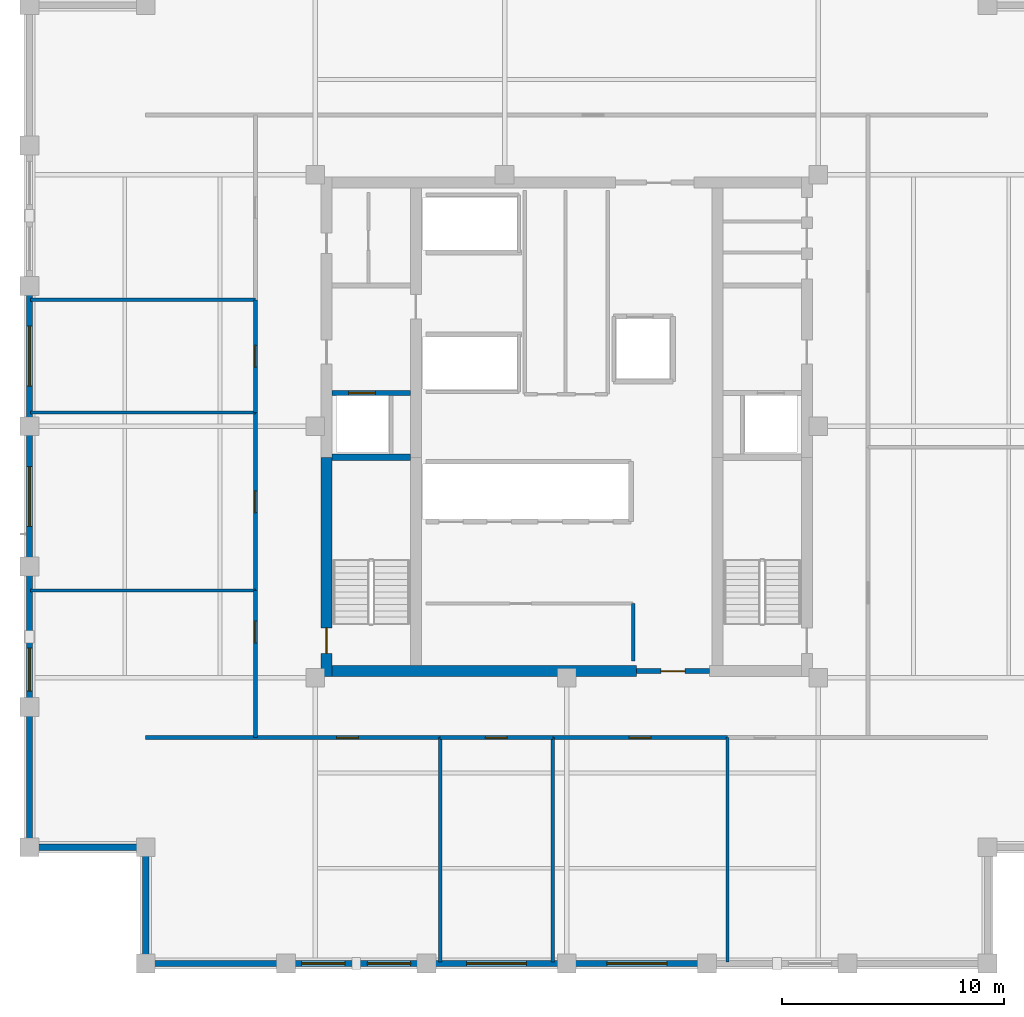
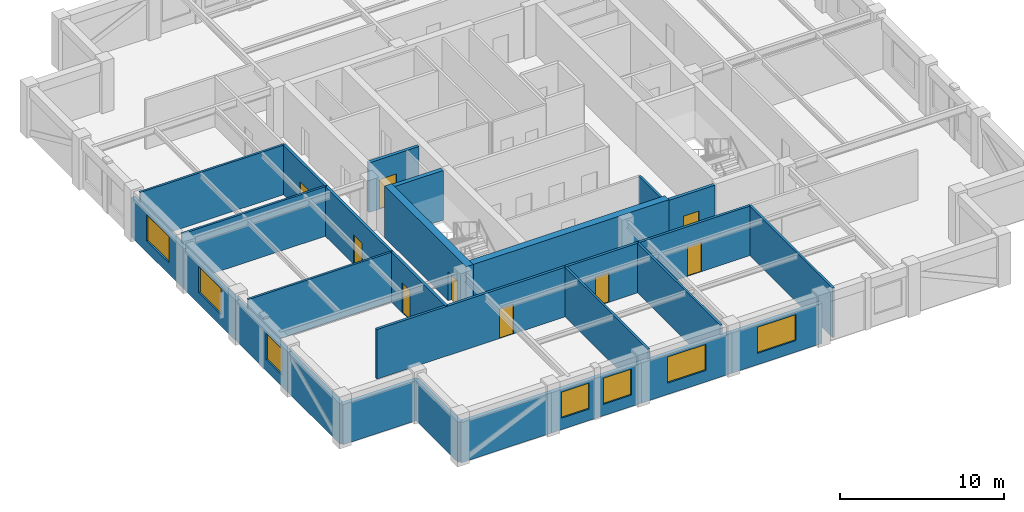
# One storey, part 5 of 9: 28 walls, 9 doors, 7 windows, 16 openings.
"""IFC4 building model written with IfcOpenShell, lengths in metres."""

from ifc_helpers import new_model, si_unit, direction, frame, frame_2d, origin, place, context, subcontext, project, spatial, rectangle, extrude, material, layer, layer_set, type_object, element, fill, save


model = new_model("IFC4")

# Units and contexts
model_context = context("Model", 3, precision=1e-05, world=origin(), true_north=direction((0.0, 1.0)))
body_context = subcontext(model_context, "Body", "Model", "MODEL_VIEW")
ifc_project = project(units=[si_unit("LENGTHUNIT", "METRE"), si_unit("AREAUNIT", "SQUARE_METRE"), si_unit("VOLUMEUNIT", "CUBIC_METRE"), si_unit("PLANEANGLEUNIT", "RADIAN"), si_unit("MASSUNIT", "GRAM", prefix="KILO")], contexts=[model_context])

# Site, building, storey
site_placement = place(None, origin())
site = spatial("IfcSite", under=ifc_project, at=site_placement, CompositionType="ELEMENT")
building_placement = place(site_placement, origin())
building = spatial("IfcBuilding", under=site, at=building_placement, Name="Nhamokura Convention Tower", CompositionType="ELEMENT")
storey_placement = place(building_placement, frame((0.0, 0.0, 229.25)))
storey = spatial("IfcBuildingStorey", under=building, at=storey_placement, Name="L56", CompositionType="ELEMENT", Elevation=229.25)

# Wall
ifc_material_1 = material(Name="Bronze-pigmented precast concrete C45/55", Category="concrete")
ifc_layer_1 = layer(ifc_material_1, 0.280029296875)
ifc_layer_set_1 = layer_set([ifc_layer_1], Name="BronzePrecastSpandrel_280")
wall_type_1 = type_object("IfcWallType", Name="BronzePrecastSpandrel_280", PredefinedType="USERDEFINED", material=ifc_layer_set_1)
wall_1_placement = place(storey_placement, frame((19.333251953125, 7.75, 0.0), z_axis=(0.0, 0.0, 1.0), x_axis=(-1.0, 0.0, 0.0)))
element("IfcWall", 1, at=wall_1_placement, inside=storey, type_object=wall_type_1, Name="L56 Braced-Bay Precast Wall SOUTH 0", ObjectType="SPANDREL_WALL", PredefinedType="USERDEFINED", context=body_context, shape_type="SweptSolid", body=[
    extrude(rectangle(XDim=6.333251953125, YDim=0.280029296875, at=frame_2d((3.16650390625, 0.0))), origin(), (0.0, 0.0, 1.0), 2.985107421875),
])

# Wall, openings, windows
wall_2_placement = place(storey_placement, frame((25.666748046875, 7.75, 0.0), z_axis=(0.0, 0.0, 1.0), x_axis=(-1.0, 0.0, 0.0)))
wall_2 = element("IfcWall", 2, at=wall_2_placement, inside=storey, type_object=wall_type_1, Name="L56 Masonry-Frame Wall SOUTH 1", ObjectType="SPANDREL_WALL", PredefinedType="USERDEFINED", context=body_context, shape_type="SweptSolid", body=[
    extrude(rectangle(XDim=6.33349609375, YDim=0.280029296875, at=frame_2d((3.166748046875, 0.0))), origin(), (0.0, 0.0, 1.0), 2.985107421875),
])
opening_1_placement = place(wall_2_placement, frame((0.708251953125, 0.0, 0.85009765625)))
opening_1 = element("IfcOpeningElement", 3, at=opening_1_placement, cuts=wall_2, Name="Opening W-08", PredefinedType="OPENING", context=body_context, shape_type="SweptSolid", body=[
    extrude(rectangle(XDim=1.949951171875, YDim=1.93505859375, at=frame_2d((0.97509765625, 0.967529296875))), frame((0.0, 0.14990234375, 0.0), z_axis=(0.0, -1.0, 0.0), x_axis=(1.0, 0.0, 0.0)), (0.0, 0.0, 1.0), 0.300048828125),
])
opening_2_placement = place(wall_2_placement, frame((3.675048828125, 0.0, 0.85009765625)))
opening_2 = element("IfcOpeningElement", 4, at=opening_2_placement, cuts=wall_2, Name="Opening W-08", PredefinedType="OPENING", context=body_context, shape_type="SweptSolid", body=[
    extrude(rectangle(XDim=1.949951171875, YDim=1.93505859375, at=frame_2d((0.97509765625, 0.967529296875))), frame((0.0, 0.14990234375, 0.0), z_axis=(0.0, -1.0, 0.0), x_axis=(1.0, 0.0, 0.0)), (0.0, 0.0, 1.0), 0.300048828125),
])
ifc_material_2 = material(Name="Solar-control bronze low-E double glass", Category="glass")
window_type_1 = type_object("IfcWindowType", Name="OfficeModuleWindow_Z3_1950", PartitioningType="SINGLE_PANEL", PredefinedType="WINDOW", material=ifc_material_2)
window_1_placement = place(opening_1_placement, origin())
window_1 = element("IfcWindow", 5, at=window_1_placement, inside=storey, type_object=window_type_1, Name="L56 Facade Window SOUTH 1-1", OverallHeight=1.93505859375, OverallWidth=1.949951171875, PartitioningType="SINGLE_PANEL", PredefinedType="WINDOW", context=body_context, shape_type="SweptSolid", body=[
    extrude(rectangle(XDim=1.949951171875, YDim=1.93505859375, at=frame_2d((0.97509765625, 0.967529296875))), frame((0.0, 0.030029296875, 0.0), z_axis=(0.0, -1.0, 0.0), x_axis=(1.0, 0.0, 0.0)), (0.0, 0.0, 1.0), 0.06005859375),
])
fill(opening_1, window_1)
window_2_placement = place(opening_2_placement, origin())
window_2 = element("IfcWindow", 6, at=window_2_placement, inside=storey, type_object=window_type_1, Name="L56 Facade Window SOUTH 1-2", OverallHeight=1.93505859375, OverallWidth=1.949951171875, PartitioningType="SINGLE_PANEL", PredefinedType="WINDOW", context=body_context, shape_type="SweptSolid", body=[
    extrude(rectangle(XDim=1.949951171875, YDim=1.93505859375, at=frame_2d((0.97509765625, 0.967529296875))), frame((0.0, 0.030029296875, 0.0), z_axis=(0.0, -1.0, 0.0), x_axis=(1.0, 0.0, 0.0)), (0.0, 0.0, 1.0), 0.06005859375),
])
fill(opening_2, window_2)

# Wall, opening, window
wall_3_placement = place(storey_placement, frame((32.0, 7.75, 0.0), z_axis=(0.0, 0.0, 1.0), x_axis=(-1.0, 0.0, 0.0)))
wall_3 = element("IfcWall", 7, at=wall_3_placement, inside=storey, type_object=wall_type_1, Name="L56 Masonry-Frame Wall SOUTH 2", ObjectType="SPANDREL_WALL", PredefinedType="USERDEFINED", context=body_context, shape_type="SweptSolid", body=[
    extrude(rectangle(XDim=6.333251953125, YDim=0.280029296875, at=frame_2d((3.16650390625, 0.0))), origin(), (0.0, 0.0, 1.0), 2.985107421875),
])
opening_3_placement = place(wall_3_placement, frame((1.816650390625, 0.0, 0.85009765625)))
opening_3 = element("IfcOpeningElement", 8, at=opening_3_placement, cuts=wall_3, Name="Opening W-07", PredefinedType="OPENING", context=body_context, shape_type="SweptSolid", body=[
    extrude(rectangle(XDim=2.699951171875, YDim=1.93505859375, at=frame_2d((1.35009765625, 0.967529296875))), frame((0.0, 0.14990234375, 0.0), z_axis=(0.0, -1.0, 0.0), x_axis=(1.0, 0.0, 0.0)), (0.0, 0.0, 1.0), 0.300048828125),
])
ifc_material_3 = material(Name="Solar-control bronze low-E double glass", Category="glass")
window_type_2 = type_object("IfcWindowType", Name="OfficeModuleWindow_Z3_2700", PartitioningType="DOUBLE_PANEL_VERTICAL", PredefinedType="WINDOW", material=ifc_material_3)
window_3_placement = place(opening_3_placement, origin())
window_3 = element("IfcWindow", 9, at=window_3_placement, inside=storey, type_object=window_type_2, Name="L56 Facade Window SOUTH 2", OverallHeight=1.93505859375, OverallWidth=2.699951171875, PartitioningType="SINGLE_PANEL", PredefinedType="WINDOW", context=body_context, shape_type="SweptSolid", body=[
    extrude(rectangle(XDim=2.699951171875, YDim=1.93505859375, at=frame_2d((1.35009765625, 0.967529296875))), frame((0.0, 0.030029296875, 0.0), z_axis=(0.0, -1.0, 0.0), x_axis=(1.0, 0.0, 0.0)), (0.0, 0.0, 1.0), 0.06005859375),
])
fill(opening_3, window_3)

wall_4_placement = place(storey_placement, frame((38.333251953125, 7.75, 0.0), z_axis=(0.0, 0.0, 1.0), x_axis=(-1.0, 0.0, 0.0)))
wall_4 = element("IfcWall", 10, at=wall_4_placement, inside=storey, type_object=wall_type_1, Name="L56 Masonry-Frame Wall SOUTH 3", ObjectType="SPANDREL_WALL", PredefinedType="USERDEFINED", context=body_context, shape_type="SweptSolid", body=[
    extrude(rectangle(XDim=6.333251953125, YDim=0.280029296875, at=frame_2d((3.16650390625, 0.0))), origin(), (0.0, 0.0, 1.0), 2.985107421875),
])
opening_4_placement = place(wall_4_placement, frame((1.816650390625, 0.0, 0.85009765625)))
opening_4 = element("IfcOpeningElement", 11, at=opening_4_placement, cuts=wall_4, Name="Opening W-07", PredefinedType="OPENING", context=body_context, shape_type="SweptSolid", body=[
    extrude(rectangle(XDim=2.699951171875, YDim=1.93505859375, at=frame_2d((1.35009765625, 0.967529296875))), frame((0.0, 0.14990234375, 0.0), z_axis=(0.0, -1.0, 0.0), x_axis=(1.0, 0.0, 0.0)), (0.0, 0.0, 1.0), 0.300048828125),
])
window_4_placement = place(opening_4_placement, origin())
window_4 = element("IfcWindow", 12, at=window_4_placement, inside=storey, type_object=window_type_2, Name="L56 Facade Window SOUTH 3", OverallHeight=1.93505859375, OverallWidth=2.699951171875, PartitioningType="SINGLE_PANEL", PredefinedType="WINDOW", context=body_context, shape_type="SweptSolid", body=[
    extrude(rectangle(XDim=2.699951171875, YDim=1.93505859375, at=frame_2d((1.35009765625, 0.967529296875))), frame((0.0, 0.030029296875, 0.0), z_axis=(0.0, -1.0, 0.0), x_axis=(1.0, 0.0, 0.0)), (0.0, 0.0, 1.0), 0.06005859375),
])
fill(opening_4, window_4)

# Wall
wall_5_placement = place(storey_placement, frame((7.75, 13.0, 0.0), z_axis=(0.0, 0.0, 1.0), x_axis=(0.0, 1.0, 0.0)))
element("IfcWall", 13, at=wall_5_placement, inside=storey, type_object=wall_type_1, Name="L56 Braced-Bay Precast Wall WEST 0", ObjectType="SPANDREL_WALL", PredefinedType="USERDEFINED", context=body_context, shape_type="SweptSolid", body=[
    extrude(rectangle(XDim=6.333251953125, YDim=0.280029296875, at=frame_2d((3.16650390625, 0.0))), origin(), (0.0, 0.0, 1.0), 2.985107421875),
])

# Wall, opening, window
wall_6_placement = place(storey_placement, frame((7.75, 19.333251953125, 0.0), z_axis=(0.0, 0.0, 1.0), x_axis=(0.0, 1.0, 0.0)))
wall_6 = element("IfcWall", 14, at=wall_6_placement, inside=storey, type_object=wall_type_1, Name="L56 Masonry-Frame Wall WEST 1", ObjectType="SPANDREL_WALL", PredefinedType="USERDEFINED", context=body_context, shape_type="SweptSolid", body=[
    extrude(rectangle(XDim=6.33349609375, YDim=0.280029296875, at=frame_2d((3.166748046875, 0.0))), origin(), (0.0, 0.0, 1.0), 2.985107421875),
])
opening_5_placement = place(wall_6_placement, frame((0.708251953125, 0.0, 0.85009765625)))
opening_5 = element("IfcOpeningElement", 15, at=opening_5_placement, cuts=wall_6, Name="Opening W-08", PredefinedType="OPENING", context=body_context, shape_type="SweptSolid", body=[
    extrude(rectangle(XDim=1.949951171875, YDim=1.93505859375, at=frame_2d((0.97509765625, 0.967529296875))), frame((0.0, 0.14990234375, 0.0), z_axis=(0.0, -1.0, 0.0), x_axis=(1.0, 0.0, 0.0)), (0.0, 0.0, 1.0), 0.300048828125),
])
window_5_placement = place(opening_5_placement, origin())
window_5 = element("IfcWindow", 16, at=window_5_placement, inside=storey, type_object=window_type_1, Name="L56 Facade Window WEST 1-1", OverallHeight=1.93505859375, OverallWidth=1.949951171875, PartitioningType="SINGLE_PANEL", PredefinedType="WINDOW", context=body_context, shape_type="SweptSolid", body=[
    extrude(rectangle(XDim=1.949951171875, YDim=1.93505859375, at=frame_2d((0.97509765625, 0.967529296875))), frame((0.0, 0.030029296875, 0.0), z_axis=(0.0, -1.0, 0.0), x_axis=(1.0, 0.0, 0.0)), (0.0, 0.0, 1.0), 0.06005859375),
])
fill(opening_5, window_5)

wall_7_placement = place(storey_placement, frame((7.75, 25.666748046875, 0.0), z_axis=(0.0, 0.0, 1.0), x_axis=(0.0, 1.0, 0.0)))
wall_7 = element("IfcWall", 17, at=wall_7_placement, inside=storey, type_object=wall_type_1, Name="L56 Masonry-Frame Wall WEST 2", ObjectType="SPANDREL_WALL", PredefinedType="USERDEFINED", context=body_context, shape_type="SweptSolid", body=[
    extrude(rectangle(XDim=6.333251953125, YDim=0.280029296875, at=frame_2d((3.16650390625, 0.0))), origin(), (0.0, 0.0, 1.0), 2.985107421875),
])
opening_6_placement = place(wall_7_placement, frame((1.816650390625, 0.0, 0.85009765625)))
opening_6 = element("IfcOpeningElement", 18, at=opening_6_placement, cuts=wall_7, Name="Opening W-07", PredefinedType="OPENING", context=body_context, shape_type="SweptSolid", body=[
    extrude(rectangle(XDim=2.699951171875, YDim=1.93505859375, at=frame_2d((1.35009765625, 0.967529296875))), frame((0.0, 0.14990234375, 0.0), z_axis=(0.0, -1.0, 0.0), x_axis=(1.0, 0.0, 0.0)), (0.0, 0.0, 1.0), 0.300048828125),
])
window_6_placement = place(opening_6_placement, origin())
window_6 = element("IfcWindow", 19, at=window_6_placement, inside=storey, type_object=window_type_2, Name="L56 Facade Window WEST 2", OverallHeight=1.93505859375, OverallWidth=2.699951171875, PartitioningType="SINGLE_PANEL", PredefinedType="WINDOW", context=body_context, shape_type="SweptSolid", body=[
    extrude(rectangle(XDim=2.699951171875, YDim=1.93505859375, at=frame_2d((1.35009765625, 0.967529296875))), frame((0.0, 0.030029296875, 0.0), z_axis=(0.0, -1.0, 0.0), x_axis=(1.0, 0.0, 0.0)), (0.0, 0.0, 1.0), 0.06005859375),
])
fill(opening_6, window_6)

wall_8_placement = place(storey_placement, frame((7.75, 32.0, 0.0), z_axis=(0.0, 0.0, 1.0), x_axis=(0.0, 1.0, 0.0)))
wall_8 = element("IfcWall", 20, at=wall_8_placement, inside=storey, type_object=wall_type_1, Name="L56 Masonry-Frame Wall WEST 3", ObjectType="SPANDREL_WALL", PredefinedType="USERDEFINED", context=body_context, shape_type="SweptSolid", body=[
    extrude(rectangle(XDim=6.333251953125, YDim=0.280029296875, at=frame_2d((3.16650390625, 0.0))), origin(), (0.0, 0.0, 1.0), 2.985107421875),
])
opening_7_placement = place(wall_8_placement, frame((1.816650390625, 0.0, 0.85009765625)))
opening_7 = element("IfcOpeningElement", 21, at=opening_7_placement, cuts=wall_8, Name="Opening W-07", PredefinedType="OPENING", context=body_context, shape_type="SweptSolid", body=[
    extrude(rectangle(XDim=2.699951171875, YDim=1.93505859375, at=frame_2d((1.35009765625, 0.967529296875))), frame((0.0, 0.14990234375, 0.0), z_axis=(0.0, -1.0, 0.0), x_axis=(1.0, 0.0, 0.0)), (0.0, 0.0, 1.0), 0.300048828125),
])
window_7_placement = place(opening_7_placement, origin())
window_7 = element("IfcWindow", 22, at=window_7_placement, inside=storey, type_object=window_type_2, Name="L56 Facade Window WEST 3", OverallHeight=1.93505859375, OverallWidth=2.699951171875, PartitioningType="SINGLE_PANEL", PredefinedType="WINDOW", context=body_context, shape_type="SweptSolid", body=[
    extrude(rectangle(XDim=2.699951171875, YDim=1.93505859375, at=frame_2d((1.35009765625, 0.967529296875))), frame((0.0, 0.030029296875, 0.0), z_axis=(0.0, -1.0, 0.0), x_axis=(1.0, 0.0, 0.0)), (0.0, 0.0, 1.0), 0.06005859375),
])
fill(opening_7, window_7)

# Walls
for number, where, z_axis, x_axis, name in (
    (23, (13.0, 7.75, 0.0), (0.0, 0.0, 1.0), (0.0, 1.0, 0.0), "L56 Notched Corner Wall SW1"),
    (24, (13.0, 13.0, 0.0), (0.0, 0.0, 1.0), (-1.0, 0.0, 0.0), "L56 Notched Corner Wall SW2"),
):
    element("IfcWall", number, at=place(storey_placement, frame(where, z_axis=z_axis, x_axis=x_axis)), inside=storey, type_object=wall_type_1, Name=name, ObjectType="SPANDREL_WALL", PredefinedType="USERDEFINED", context=body_context, shape_type="SweptSolid", body=[
        extrude(rectangle(XDim=5.25, YDim=0.280029296875, at=frame_2d((2.625, 0.0))), origin(), (0.0, 0.0, 1.0), 2.985107421875),
    ])

# Wall, opening, door
ifc_material_4 = material(Name="Concrete C60/75", Category="concrete")
ifc_layer_2 = layer(ifc_material_4, 0.5)
ifc_layer_set_2 = layer_set([ifc_layer_2], Name="CoreShearWall_500")
wall_type_2 = type_object("IfcWallType", Name="CoreShearWall_500", PredefinedType="SHEAR", material=ifc_layer_set_2)
wall_9_placement = place(storey_placement, frame((21.159912109375, 20.699951171875, 0.0), z_axis=(0.0, 0.0, 1.0), x_axis=(0.0, 1.0, 0.0)))
wall_9 = element("IfcWall", 25, at=wall_9_placement, inside=storey, type_object=wall_type_2, Name="L56 Core Shear Wall CW-WS", PredefinedType="SHEAR", context=body_context, shape_type="SweptSolid", body=[
    extrude(rectangle(XDim=9.900146484375, YDim=0.5, at=frame_2d((4.9501953125, 0.0))), origin(), (0.0, 0.0, 1.0), 3.85009765625),
])
opening_8_placement = place(wall_9_placement, frame((1.050048828125, 0.0, 0.0)))
opening_8 = element("IfcOpeningElement", 26, at=opening_8_placement, cuts=wall_9, Name="Opening D-04", PredefinedType="OPENING", context=body_context, shape_type="SweptSolid", body=[
    extrude(rectangle(XDim=1.14990234375, YDim=2.14990234375, at=frame_2d((0.574951171875, 1.074951171875))), frame((0.0, 0.260009765625, 0.0), z_axis=(0.0, -1.0, 0.0), x_axis=(1.0, 0.0, 0.0)), (0.0, 0.0, 1.0), 0.52001953125),
])
ifc_material_5 = material(Name="Fire-rated steel door", Category="steel")
door_type_1 = type_object("IfcDoorType", Name="StairSmokeDoor_1150", OperationType="NOTDEFINED", PredefinedType="DOOR", material=ifc_material_5)
door_1_placement = place(opening_8_placement, origin())
door_1 = element("IfcDoor", 27, at=door_1_placement, inside=storey, type_object=door_type_1, Name="L56 Core Door INT-L56-D-ST01", OperationType="SINGLE_SWING_LEFT", OverallHeight=2.14990234375, OverallWidth=1.14990234375, PredefinedType="DOOR", context=body_context, shape_type="SweptSolid", body=[
    extrude(rectangle(XDim=1.14990234375, YDim=2.14990234375, at=frame_2d((0.574951171875, 1.074951171875))), frame((0.0, 0.02490234375, 0.0), z_axis=(0.0, -1.0, 0.0), x_axis=(1.0, 0.0, 0.0)), (0.0, 0.0, 1.0), 0.050048828125),
])
fill(opening_8, door_1)

# Wall
wall_10_placement = place(storey_placement, frame((21.409912109375, 20.949951171875, 0.0), z_axis=(0.0, 0.0, 1.0), x_axis=(1.0, 0.0, 0.0)))
element("IfcWall", 28, at=wall_10_placement, inside=storey, type_object=wall_type_2, Name="L56 Core Shear Wall CW-S1", PredefinedType="SHEAR", context=body_context, shape_type="SweptSolid", body=[
    extrude(rectangle(XDim=13.739990234375, YDim=0.5, at=frame_2d((6.8701171875, 0.0))), origin(), (0.0, 0.0, 1.0), 3.85009765625),
])

# Wall, opening, door
ifc_material_6 = material(Name="Fire-rated gypsum and masonry partition", Category="masonry")
ifc_layer_3 = layer(ifc_material_6, 0.179931640625)
ifc_layer_set_3 = layer_set([ifc_layer_3], Name="CorridorRatedWall_180")
wall_type_3 = type_object("IfcWallType", Name="CorridorRatedWall_180", PredefinedType="STANDARD", material=ifc_layer_set_3)
wall_11_placement = place(storey_placement, frame((13.0, 17.949951171875, 0.0), z_axis=(0.0, 0.0, 1.0), x_axis=(1.0, 0.0, 0.0)))
wall_11 = element("IfcWall", 29, at=wall_11_placement, inside=storey, type_object=wall_type_3, Name="L56 Wall INT-L56-CW-S00", PredefinedType="STANDARD", context=body_context, shape_type="SweptSolid", body=[
    extrude(rectangle(XDim=13.291748046875, YDim=0.179931640625, at=frame_2d((6.64599609375, 0.0))), origin(), (0.0, 0.0, 1.0), 3.68505859375),
])
opening_9_placement = place(wall_11_placement, frame((8.620849609375, 0.0, 0.0)))
opening_9 = element("IfcOpeningElement", 30, at=opening_9_placement, cuts=wall_11, Name="Opening D-08", PredefinedType="OPENING", context=body_context, shape_type="SweptSolid", body=[
    extrude(rectangle(XDim=0.97998046875, YDim=2.199951171875, at=frame_2d((0.489990234375, 1.10009765625))), frame((0.0, 0.099853515625, 0.0), z_axis=(0.0, -1.0, 0.0), x_axis=(1.0, 0.0, 0.0)), (0.0, 0.0, 1.0), 0.199951171875),
])
ifc_material_7 = material(Name="Solid oak hardwood", Category="wood")
door_type_2 = type_object("IfcDoorType", Name="OfficeEntryDoor_980", OperationType="NOTDEFINED", PredefinedType="DOOR", material=ifc_material_7)
door_2_placement = place(opening_9_placement, origin())
door_2 = element("IfcDoor", 31, at=door_2_placement, inside=storey, type_object=door_type_2, Name="L56 Executive Suite S01 Door", OperationType="SINGLE_SWING_LEFT", OverallHeight=2.199951171875, OverallWidth=0.97998046875, PredefinedType="DOOR", context=body_context, shape_type="SweptSolid", body=[
    extrude(rectangle(XDim=0.97998046875, YDim=2.199951171875, at=frame_2d((0.489990234375, 1.10009765625))), frame((0.0, 0.02490234375, 0.0), z_axis=(0.0, -1.0, 0.0), x_axis=(1.0, 0.0, 0.0)), (0.0, 0.0, 1.0), 0.050048828125),
])
fill(opening_9, door_2)

wall_12_placement = place(storey_placement, frame((26.291748046875, 17.949951171875, 0.0), z_axis=(0.0, 0.0, 1.0), x_axis=(1.0, 0.0, 0.0)))
wall_12 = element("IfcWall", 32, at=wall_12_placement, inside=storey, type_object=wall_type_3, Name="L56 Wall INT-L56-CW-S01", PredefinedType="STANDARD", context=body_context, shape_type="SweptSolid", body=[
    extrude(rectangle(XDim=5.083251953125, YDim=0.179931640625, at=frame_2d((2.54150390625, 0.0))), origin(), (0.0, 0.0, 1.0), 3.68505859375),
])
opening_10_placement = place(wall_12_placement, frame((2.041748046875, 0.0, 0.0)))
opening_10 = element("IfcOpeningElement", 33, at=opening_10_placement, cuts=wall_12, Name="Opening D-08", PredefinedType="OPENING", context=body_context, shape_type="SweptSolid", body=[
    extrude(rectangle(XDim=0.97998046875, YDim=2.199951171875, at=frame_2d((0.489990234375, 1.10009765625))), frame((0.0, 0.099853515625, 0.0), z_axis=(0.0, -1.0, 0.0), x_axis=(1.0, 0.0, 0.0)), (0.0, 0.0, 1.0), 0.199951171875),
])
door_3_placement = place(opening_10_placement, origin())
door_3 = element("IfcDoor", 34, at=door_3_placement, inside=storey, type_object=door_type_2, Name="L56 Executive Suite S02 Door", OperationType="SINGLE_SWING_RIGHT", OverallHeight=2.199951171875, OverallWidth=0.97998046875, PredefinedType="DOOR", context=body_context, shape_type="SweptSolid", body=[
    extrude(rectangle(XDim=0.97998046875, YDim=2.199951171875, at=frame_2d((0.489990234375, 1.10009765625))), frame((0.0, 0.02490234375, 0.0), z_axis=(0.0, -1.0, 0.0), x_axis=(1.0, 0.0, 0.0)), (0.0, 0.0, 1.0), 0.050048828125),
])
fill(opening_10, door_3)

wall_13_placement = place(storey_placement, frame((31.375, 17.949951171875, 0.0), z_axis=(0.0, 0.0, 1.0), x_axis=(1.0, 0.0, 0.0)))
wall_13 = element("IfcWall", 35, at=wall_13_placement, inside=storey, type_object=wall_type_3, Name="L56 Wall INT-L56-CW-S02", PredefinedType="STANDARD", context=body_context, shape_type="SweptSolid", body=[
    extrude(rectangle(XDim=7.88330078125, YDim=0.179931640625, at=frame_2d((3.941650390625, 0.0))), origin(), (0.0, 0.0, 1.0), 3.68505859375),
])
opening_11_placement = place(wall_13_placement, frame((3.441650390625, 0.0, 0.0)))
opening_11 = element("IfcOpeningElement", 36, at=opening_11_placement, cuts=wall_13, Name="Opening D-08", PredefinedType="OPENING", context=body_context, shape_type="SweptSolid", body=[
    extrude(rectangle(XDim=0.97998046875, YDim=2.199951171875, at=frame_2d((0.489990234375, 1.10009765625))), frame((0.0, 0.099853515625, 0.0), z_axis=(0.0, -1.0, 0.0), x_axis=(1.0, 0.0, 0.0)), (0.0, 0.0, 1.0), 0.199951171875),
])
door_4_placement = place(opening_11_placement, origin())
door_4 = element("IfcDoor", 37, at=door_4_placement, inside=storey, type_object=door_type_2, Name="L56 Private Dining Room S03 Door", OperationType="SINGLE_SWING_LEFT", OverallHeight=2.199951171875, OverallWidth=0.97998046875, PredefinedType="DOOR", context=body_context, shape_type="SweptSolid", body=[
    extrude(rectangle(XDim=0.97998046875, YDim=2.199951171875, at=frame_2d((0.489990234375, 1.10009765625))), frame((0.0, 0.02490234375, 0.0), z_axis=(0.0, -1.0, 0.0), x_axis=(1.0, 0.0, 0.0)), (0.0, 0.0, 1.0), 0.050048828125),
])
fill(opening_11, door_4)

wall_14_placement = place(storey_placement, frame((17.949951171875, 17.949951171875, 0.0), z_axis=(0.0, 0.0, 1.0), x_axis=(0.0, 1.0, 0.0)))
wall_14 = element("IfcWall", 38, at=wall_14_placement, inside=storey, type_object=wall_type_3, Name="L56 Wall INT-L56-CW-W00", PredefinedType="STANDARD", context=body_context, shape_type="SweptSolid", body=[
    extrude(rectangle(XDim=6.641845703125, YDim=0.179931640625, at=frame_2d((3.32080078125, 0.0))), origin(), (0.0, 0.0, 1.0), 3.68505859375),
])
opening_12_placement = place(wall_14_placement, frame((4.270751953125, 0.0, 0.0)))
opening_12 = element("IfcOpeningElement", 39, at=opening_12_placement, cuts=wall_14, Name="Opening D-08", PredefinedType="OPENING", context=body_context, shape_type="SweptSolid", body=[
    extrude(rectangle(XDim=0.97998046875, YDim=2.199951171875, at=frame_2d((0.489990234375, 1.10009765625))), frame((0.0, 0.099853515625, 0.0), z_axis=(0.0, -1.0, 0.0), x_axis=(1.0, 0.0, 0.0)), (0.0, 0.0, 1.0), 0.199951171875),
])
door_5_placement = place(opening_12_placement, origin())
door_5 = element("IfcDoor", 40, at=door_5_placement, inside=storey, type_object=door_type_2, Name="L56 Kitchen W01 Door", OperationType="SINGLE_SWING_LEFT", OverallHeight=2.199951171875, OverallWidth=0.97998046875, PredefinedType="DOOR", context=body_context, shape_type="SweptSolid", body=[
    extrude(rectangle(XDim=0.97998046875, YDim=2.199951171875, at=frame_2d((0.489990234375, 1.10009765625))), frame((0.0, 0.02490234375, 0.0), z_axis=(0.0, -1.0, 0.0), x_axis=(1.0, 0.0, 0.0)), (0.0, 0.0, 1.0), 0.050048828125),
])
fill(opening_12, door_5)

wall_15_placement = place(storey_placement, frame((17.949951171875, 24.591796875, 0.0), z_axis=(0.0, 0.0, 1.0), x_axis=(0.0, 1.0, 0.0)))
wall_15 = element("IfcWall", 41, at=wall_15_placement, inside=storey, type_object=wall_type_3, Name="L56 Wall INT-L56-CW-W01", PredefinedType="STANDARD", context=body_context, shape_type="SweptSolid", body=[
    extrude(rectangle(XDim=8.033203125, YDim=0.179931640625, at=frame_2d((4.0166015625, 0.0))), origin(), (0.0, 0.0, 1.0), 3.68505859375),
])
opening_13_placement = place(wall_15_placement, frame((3.5166015625, 0.0, 0.0)))
opening_13 = element("IfcOpeningElement", 42, at=opening_13_placement, cuts=wall_15, Name="Opening D-08", PredefinedType="OPENING", context=body_context, shape_type="SweptSolid", body=[
    extrude(rectangle(XDim=0.97998046875, YDim=2.199951171875, at=frame_2d((0.489990234375, 1.10009765625))), frame((0.0, 0.099853515625, 0.0), z_axis=(0.0, -1.0, 0.0), x_axis=(1.0, 0.0, 0.0)), (0.0, 0.0, 1.0), 0.199951171875),
])
door_6_placement = place(opening_13_placement, origin())
door_6 = element("IfcDoor", 43, at=door_6_placement, inside=storey, type_object=door_type_2, Name="L56 Kitchen W02 Door", OperationType="SINGLE_SWING_RIGHT", OverallHeight=2.199951171875, OverallWidth=0.97998046875, PredefinedType="DOOR", context=body_context, shape_type="SweptSolid", body=[
    extrude(rectangle(XDim=0.97998046875, YDim=2.199951171875, at=frame_2d((0.489990234375, 1.10009765625))), frame((0.0, 0.02490234375, 0.0), z_axis=(0.0, -1.0, 0.0), x_axis=(1.0, 0.0, 0.0)), (0.0, 0.0, 1.0), 0.050048828125),
])
fill(opening_13, door_6)

wall_16_placement = place(storey_placement, frame((17.949951171875, 32.625, 0.0), z_axis=(0.0, 0.0, 1.0), x_axis=(0.0, 1.0, 0.0)))
wall_16 = element("IfcWall", 44, at=wall_16_placement, inside=storey, type_object=wall_type_3, Name="L56 Wall INT-L56-CW-W02", PredefinedType="STANDARD", context=body_context, shape_type="SweptSolid", body=[
    extrude(rectangle(XDim=5.083251953125, YDim=0.179931640625, at=frame_2d((2.54150390625, 0.0))), origin(), (0.0, 0.0, 1.0), 3.68505859375),
])
opening_14_placement = place(wall_16_placement, frame((2.041748046875, 0.0, 0.0)))
opening_14 = element("IfcOpeningElement", 45, at=opening_14_placement, cuts=wall_16, Name="Opening D-08", PredefinedType="OPENING", context=body_context, shape_type="SweptSolid", body=[
    extrude(rectangle(XDim=0.97998046875, YDim=2.199951171875, at=frame_2d((0.489990234375, 1.10009765625))), frame((0.0, 0.099853515625, 0.0), z_axis=(0.0, -1.0, 0.0), x_axis=(1.0, 0.0, 0.0)), (0.0, 0.0, 1.0), 0.199951171875),
])
door_7_placement = place(opening_14_placement, origin())
door_7 = element("IfcDoor", 46, at=door_7_placement, inside=storey, type_object=door_type_2, Name="L56 Private Office W03 Door", OperationType="SINGLE_SWING_LEFT", OverallHeight=2.199951171875, OverallWidth=0.97998046875, PredefinedType="DOOR", context=body_context, shape_type="SweptSolid", body=[
    extrude(rectangle(XDim=0.97998046875, YDim=2.199951171875, at=frame_2d((0.489990234375, 1.10009765625))), frame((0.0, 0.02490234375, 0.0), z_axis=(0.0, -1.0, 0.0), x_axis=(1.0, 0.0, 0.0)), (0.0, 0.0, 1.0), 0.050048828125),
])
fill(opening_14, door_7)

ifc_material_8 = material(Name="Autoclaved concrete blockwork", Category="masonry")
ifc_layer_4 = layer(ifc_material_8, 0.219970703125)
ifc_layer_set_4 = layer_set([ifc_layer_4], Name="FireLobbyWall_220")
wall_type_4 = type_object("IfcWallType", Name="FireLobbyWall_220", PredefinedType="STANDARD", material=ifc_layer_set_4)
wall_17_placement = place(storey_placement, frame((21.409912109375, 33.5, 0.0), z_axis=(0.0, 0.0, 1.0), x_axis=(1.0, 0.0, 0.0)))
wall_17 = element("IfcWall", 47, at=wall_17_placement, inside=storey, type_object=wall_type_4, Name="L56 Wall INT-L56-FFW-S", PredefinedType="STANDARD", context=body_context, shape_type="SweptSolid", body=[
    extrude(rectangle(XDim=3.530029296875, YDim=0.219970703125, at=frame_2d((1.76513671875, 0.0))), origin(), (0.0, 0.0, 1.0), 3.68505859375),
])
opening_15_placement = place(wall_17_placement, frame((0.75, 0.0, 0.0)))
opening_15 = element("IfcOpeningElement", 48, at=opening_15_placement, cuts=wall_17, Name="Opening LD-02", PredefinedType="OPENING", context=body_context, shape_type="SweptSolid", body=[
    extrude(rectangle(XDim=1.199951171875, YDim=2.199951171875, at=frame_2d((0.60009765625, 1.10009765625))), frame((0.0, 0.119873046875, 0.0), z_axis=(0.0, -1.0, 0.0), x_axis=(1.0, 0.0, 0.0)), (0.0, 0.0, 1.0), 0.239990234375),
])
ifc_material_9 = material(Name="Anodised bronze stainless steel", Category="steel")
door_type_3 = type_object("IfcDoorType", Name="LiftLandingDoor_FireService", OperationType="DOUBLE_DOOR_SLIDING", PredefinedType="DOOR", material=ifc_material_9)
door_8_placement = place(opening_15_placement, origin())
door_8 = element("IfcDoor", 49, at=door_8_placement, inside=storey, type_object=door_type_3, Name="L56 Firefighting Lift LF-01 Door", OperationType="DOUBLE_DOOR_SLIDING", OverallHeight=2.199951171875, OverallWidth=1.199951171875, PredefinedType="DOOR", context=body_context, shape_type="SweptSolid", body=[
    extrude(rectangle(XDim=1.199951171875, YDim=2.199951171875, at=frame_2d((0.60009765625, 1.10009765625))), frame((0.0, 0.02490234375, 0.0), z_axis=(0.0, -1.0, 0.0), x_axis=(1.0, 0.0, 0.0)), (0.0, 0.0, 1.0), 0.050048828125),
])
fill(opening_15, door_8)

wall_18_placement = place(storey_placement, frame((35.14990234375, 20.949951171875, 0.0), z_axis=(0.0, 0.0, 1.0), x_axis=(1.0, 0.0, 0.0)))
wall_18 = element("IfcWall", 50, at=wall_18_placement, inside=storey, type_object=wall_type_4, Name="L56 Wall INT-L56-SPORT-S", PredefinedType="STANDARD", context=body_context, shape_type="SweptSolid", body=[
    extrude(rectangle(XDim=3.300048828125, YDim=0.219970703125, at=frame_2d((1.64990234375, 0.0))), origin(), (0.0, 0.0, 1.0), 3.68505859375),
])
opening_16_placement = place(wall_18_placement, frame((1.10009765625, 0.0, 0.0)))
opening_16 = element("IfcOpeningElement", 51, at=opening_16_placement, cuts=wall_18, Name="Opening D-05", PredefinedType="OPENING", context=body_context, shape_type="SweptSolid", body=[
    extrude(rectangle(XDim=1.10009765625, YDim=2.14990234375, at=frame_2d((0.550048828125, 1.074951171875))), frame((0.0, 0.119873046875, 0.0), z_axis=(0.0, -1.0, 0.0), x_axis=(1.0, 0.0, 0.0)), (0.0, 0.0, 1.0), 0.239990234375),
])
ifc_material_10 = material(Name="Fire-rated steel door", Category="steel")
door_type_4 = type_object("IfcDoorType", Name="FireLobbyDoor_1100", OperationType="NOTDEFINED", PredefinedType="DOOR", material=ifc_material_10)
door_9_placement = place(opening_16_placement, origin())
door_9 = element("IfcDoor", 52, at=door_9_placement, inside=storey, type_object=door_type_4, Name="L56 South Core Lobby Portal Door", OperationType="SINGLE_SWING_LEFT", OverallHeight=2.14990234375, OverallWidth=1.10009765625, PredefinedType="DOOR", context=body_context, shape_type="SweptSolid", body=[
    extrude(rectangle(XDim=1.10009765625, YDim=2.14990234375, at=frame_2d((0.550048828125, 1.074951171875))), frame((0.0, 0.02490234375, 0.0), z_axis=(0.0, -1.0, 0.0), x_axis=(1.0, 0.0, 0.0)), (0.0, 0.0, 1.0), 0.050048828125),
])
fill(opening_16, door_9)

# Walls
ifc_material_11 = material(Name="Acoustic gypsum stud partition", Category="masonry")
ifc_layer_5 = layer(ifc_material_11, 0.14990234375)
ifc_layer_set_5 = layer_set([ifc_layer_5], Name="InteriorPartition_150")
wall_type_5 = type_object("IfcWallType", Name="InteriorPartition_150", PredefinedType="STANDARD", material=ifc_layer_set_5)
wall_19_placement = place(storey_placement, frame((35.0, 21.39990234375, 0.0), z_axis=(0.0, 0.0, 1.0), x_axis=(0.0, 1.0, 0.0)))
element("IfcWall", 53, at=wall_19_placement, inside=storey, type_object=wall_type_5, Name="L56 Wall INT-L56-B1R-E", PredefinedType="STANDARD", context=body_context, shape_type="SweptSolid", body=[
    extrude(rectangle(XDim=2.60009765625, YDim=0.14990234375, at=frame_2d((1.300048828125, 0.0))), origin(), (0.0, 0.0, 1.0), 3.68505859375),
])
for number, where, z_axis, x_axis, name in (
    (54, (26.291748046875, 7.81005859375, 0.0), (0.0, 0.0, 1.0), (0.0, 1.0, 0.0), "L56 Wall INT-L56-RW-S01"),
    (55, (31.375, 7.81005859375, 0.0), (0.0, 0.0, 1.0), (0.0, 1.0, 0.0), "L56 Wall INT-L56-RW-S02"),
    (56, (39.25830078125, 7.81005859375, 0.0), (0.0, 0.0, 1.0), (0.0, 1.0, 0.0), "L56 Wall INT-L56-RW-S03"),
    (57, (7.81005859375, 24.591796875, 0.0), (0.0, 0.0, 1.0), (1.0, 0.0, 0.0), "L56 Wall INT-L56-RW-W01"),
    (58, (7.81005859375, 32.625, 0.0), (0.0, 0.0, 1.0), (1.0, 0.0, 0.0), "L56 Wall INT-L56-RW-W02"),
    (59, (7.81005859375, 37.708251953125, 0.0), (0.0, 0.0, 1.0), (1.0, 0.0, 0.0), "L56 Wall INT-L56-RW-W03"),
):
    element("IfcWall", number, at=place(storey_placement, frame(where, z_axis=z_axis, x_axis=x_axis)), inside=storey, type_object=wall_type_5, Name=name, PredefinedType="STANDARD", context=body_context, shape_type="SweptSolid", body=[
        extrude(rectangle(XDim=10.139892578125, YDim=0.14990234375, at=frame_2d((5.06982421875, 0.0))), origin(), (0.0, 0.0, 1.0), 3.68505859375),
    ])
ifc_material_12 = material(Name="Concrete C50/60", Category="concrete")
ifc_layer_6 = layer(ifc_material_12, 0.300048828125)
ifc_layer_set_6 = layer_set([ifc_layer_6], Name="ShaftEnclosureWall_300")
wall_type_6 = type_object("IfcWallType", Name="ShaftEnclosureWall_300", PredefinedType="SHEAR", material=ifc_layer_set_6)
wall_20_placement = place(storey_placement, frame((21.409912109375, 30.60009765625, 0.0), z_axis=(0.0, 0.0, 1.0), x_axis=(1.0, 0.0, 0.0)))
element("IfcWall", 60, at=wall_20_placement, inside=storey, type_object=wall_type_6, Name="L56 Wall INT-L56-ST01-N", PredefinedType="SHEAR", context=body_context, shape_type="SweptSolid", body=[
    extrude(rectangle(XDim=3.530029296875, YDim=0.300048828125, at=frame_2d((1.76513671875, 0.0))), origin(), (0.0, 0.0, 1.0), 3.68505859375),
])

save(model, "model.ifc")
